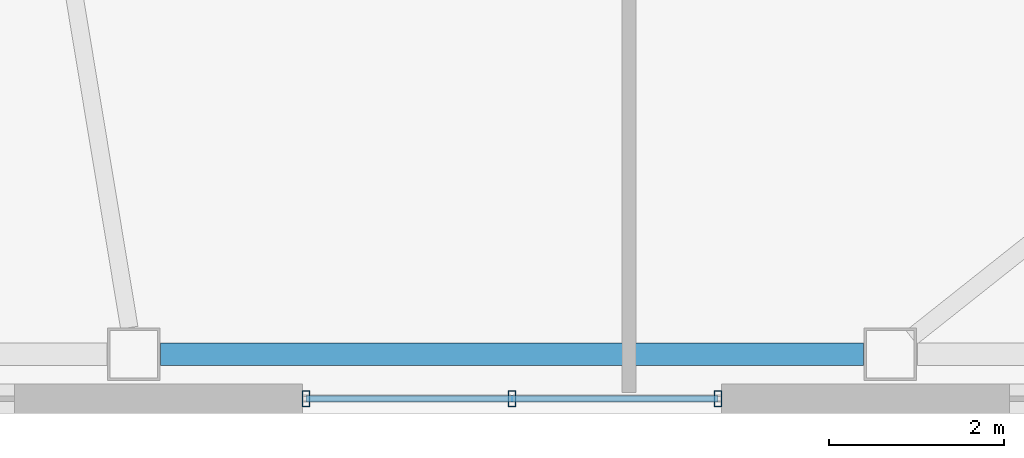
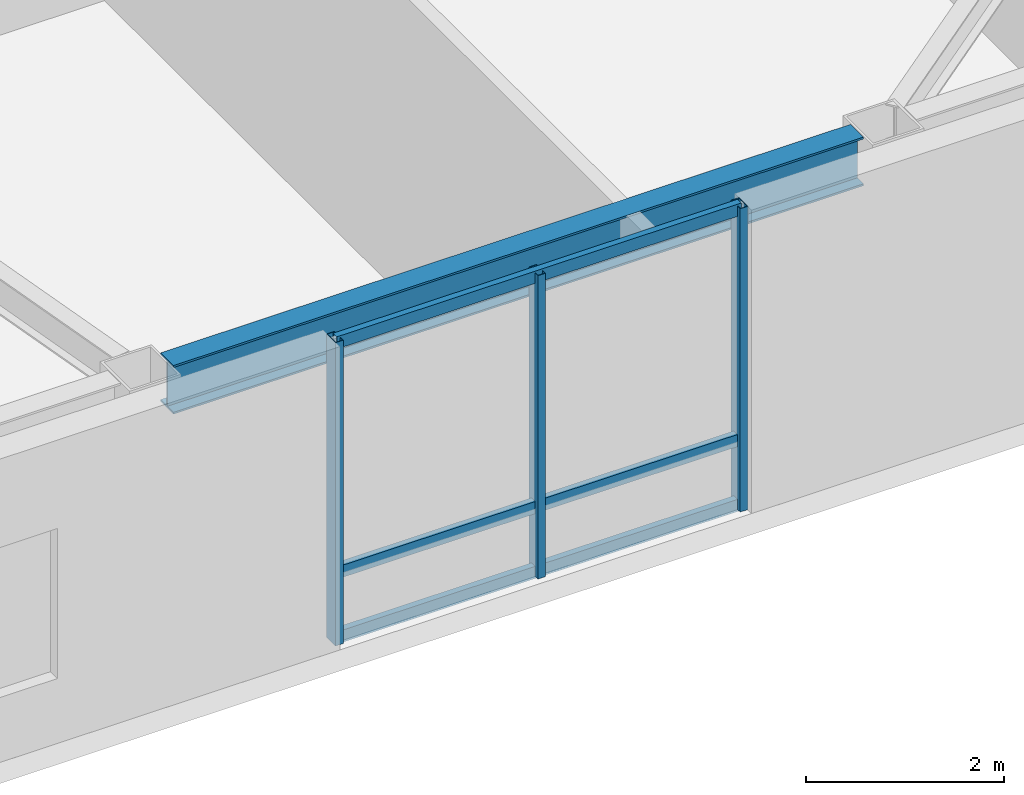
# One storey, part 4 of 18: 6 members, 1 beam, 1 element without a shape of its own.
"""IFC4 building model written with IfcOpenShell, lengths in metres."""

from ifc_helpers import new_model, si_unit, direction, frame, origin, origin_2d, place, context, subcontext, project, spatial, hollow_rectangle, i_section, extrude, material, layer, layer_set, material_profile, profile_set, type_object, element, aggregate, save


model = new_model("IFC4")

# Units and contexts
model_context = context("Model", 3, precision=1e-05, world=origin(), true_north=direction((0.0, 1.0)))
body_context = subcontext(model_context, "Body", "Model", "MODEL_VIEW")
ifc_project = project(units=[si_unit("LENGTHUNIT", "METRE"), si_unit("AREAUNIT", "SQUARE_METRE"), si_unit("VOLUMEUNIT", "CUBIC_METRE"), si_unit("PLANEANGLEUNIT", "RADIAN"), si_unit("MASSUNIT", "GRAM", prefix="KILO")], contexts=[model_context])

# Site, building, storey
site_placement = place(None, origin())
site = spatial("IfcSite", under=ifc_project, at=site_placement, CompositionType="ELEMENT")
building_placement = place(site_placement, origin())
building = spatial("IfcBuilding", under=site, at=building_placement, Name="Tavrogorsk Clinical Tower", CompositionType="ELEMENT")
storey_placement = place(building_placement, frame((0.0, 0.0, 200.199951171875)))
storey = spatial("IfcBuildingStorey", under=building, at=storey_placement, Name="L46", CompositionType="ELEMENT", Elevation=200.199951171875)

# Curtain wall, members
ifc_material_1 = material(Name="Anodised aluminium and triple IGU glazing", Category="aluminium")
ifc_layer = layer(ifc_material_1, 0.179931640625)
ifc_layer_set = layer_set([ifc_layer], Name="Anodised aluminium and triple IGU glazing")
curtain_wall_type = type_object("IfcCurtainWallType", Name="CW3_SouthSlot", PredefinedType="NOTDEFINED", material=ifc_layer_set)
curtain_wall_placement = place(storey_placement, origin())
curtain_wall = element("IfcCurtainWall", 1, at=curtain_wall_placement, inside=storey, type_object=curtain_wall_type, Name="L46 Curtain Wall CW-L46-S-SLOT-2", PredefinedType="NOTDEFINED")
ifc_material_2 = material(Name="Anodised aluminium alloy AW-6060", Category="aluminium")
ifc_material_profile_1 = material_profile(ifc_material_2, hollow_rectangle(XDim=0.090087890625, YDim=0.179931640625, WallThickness=0.00634765625, at=origin_2d()), Name="RHS-180x90x6.3")
ifc_profile_set_1 = profile_set([ifc_material_profile_1], Name="Anodised aluminium alloy AW-6060")
member_type_1 = type_object("IfcMemberType", Name="CwMullion_180x90", PredefinedType="MULLION", material=ifc_profile_set_1)
member_1_placement = place(storey_placement, frame((8.703857421875, -20.929931640625, 0.0), z_axis=(0.0, 0.0, 1.0), x_axis=(1.0, 0.0, 0.0)))
member_1 = element("IfcMember", 2, at=member_1_placement, type_object=member_type_1, Name="CW-L46-S-SLOT-2 Mullion 1", PredefinedType="MULLION", context=body_context, shape_type="SweptSolid", body=[
    extrude(hollow_rectangle(XDim=0.090087890625, YDim=0.179931640625, WallThickness=0.00634765625, at=origin_2d()), origin(), (0.0, 0.0, 1.0), 3.739990234375),
])
member_2_placement = place(storey_placement, frame((11.062744140625, -20.929931640625, 0.0), z_axis=(0.0, 0.0, 1.0), x_axis=(1.0, 0.0, 0.0)))
member_2 = element("IfcMember", 3, at=member_2_placement, type_object=member_type_1, Name="CW-L46-S-SLOT-2 Mullion 2", PredefinedType="MULLION", context=body_context, shape_type="SweptSolid", body=[
    extrude(hollow_rectangle(XDim=0.090087890625, YDim=0.179931640625, WallThickness=0.00634765625, at=origin_2d()), origin(), (0.0, 0.0, 1.0), 3.739990234375),
])
member_3_placement = place(storey_placement, frame((13.421875, -20.929931640625, 0.0), z_axis=(0.0, 0.0, 1.0), x_axis=(1.0, 0.0, 0.0)))
member_3 = element("IfcMember", 4, at=member_3_placement, type_object=member_type_1, Name="CW-L46-S-SLOT-2 Mullion 3", PredefinedType="MULLION", context=body_context, shape_type="SweptSolid", body=[
    extrude(hollow_rectangle(XDim=0.090087890625, YDim=0.179931640625, WallThickness=0.00634765625, at=origin_2d()), origin(), (0.0, 0.0, 1.0), 3.739990234375),
])
ifc_material_3 = material(Name="Anodised aluminium alloy AW-6060", Category="aluminium")
ifc_material_profile_2 = material_profile(ifc_material_3, hollow_rectangle(XDim=0.074951171875, YDim=0.14990234375, WallThickness=0.0048828125, at=origin_2d()), Name="RHS-150x75x5")
ifc_profile_set_2 = profile_set([ifc_material_profile_2], Name="Anodised aluminium alloy AW-6060")
member_type_2 = type_object("IfcMemberType", Name="CwTransom_150x75", PredefinedType="USERDEFINED", material=ifc_profile_set_2)
member_4_placement = place(storey_placement, frame((8.703857421875, -20.929931640625, 0.050048828125), z_axis=(1.0, 0.0, 0.0), x_axis=(0.0, 1.0, 0.0)))
member_4 = element("IfcMember", 5, at=member_4_placement, type_object=member_type_2, Name="CW-L46-S-SLOT-2 Transom 1", ObjectType="TRANSOM", PredefinedType="USERDEFINED", context=body_context, shape_type="SweptSolid", body=[
    extrude(hollow_rectangle(XDim=0.074951171875, YDim=0.14990234375, WallThickness=0.0048828125, at=origin_2d()), origin(), (0.0, 0.0, 1.0), 4.718017578125),
])
member_5_placement = place(storey_placement, frame((8.703857421875, -20.929931640625, 0.85009765625), z_axis=(1.0, 0.0, 0.0), x_axis=(0.0, 1.0, 0.0)))
member_5 = element("IfcMember", 6, at=member_5_placement, type_object=member_type_2, Name="CW-L46-S-SLOT-2 Transom 2", ObjectType="TRANSOM", PredefinedType="USERDEFINED", context=body_context, shape_type="SweptSolid", body=[
    extrude(hollow_rectangle(XDim=0.074951171875, YDim=0.14990234375, WallThickness=0.0048828125, at=origin_2d()), origin(), (0.0, 0.0, 1.0), 4.718017578125),
])
member_6_placement = place(storey_placement, frame((8.703857421875, -20.929931640625, 3.68994140625), z_axis=(1.0, 0.0, 0.0), x_axis=(0.0, 1.0, 0.0)))
member_6 = element("IfcMember", 7, at=member_6_placement, type_object=member_type_2, Name="CW-L46-S-SLOT-2 Transom 3", ObjectType="TRANSOM", PredefinedType="USERDEFINED", context=body_context, shape_type="SweptSolid", body=[
    extrude(hollow_rectangle(XDim=0.074951171875, YDim=0.14990234375, WallThickness=0.0048828125, at=origin_2d()), origin(), (0.0, 0.0, 1.0), 4.718017578125),
])
aggregate(curtain_wall, [member_1, member_2, member_3, member_4, member_5, member_6])

# Beam
ifc_material_4 = material(Name="Structural steel S390", Category="steel")
ifc_material_profile_3 = material_profile(ifc_material_4, i_section(OverallWidth=0.260009765625, OverallDepth=0.60009765625, WebThickness=0.014892578125, FlangeThickness=0.02392578125, at=origin_2d()), Name="B-600x260x15x24")
ifc_profile_set_3 = profile_set([ifc_material_profile_3], Name="Structural steel S390")
beam_type = type_object("IfcBeamType", Name="SpandrelBeam_B600", PredefinedType="SPANDREL", material=ifc_profile_set_3)
beam_placement = place(storey_placement, frame((7.039306640625, -20.419921875, 3.43994140625), z_axis=(1.0, 0.0, 0.0), x_axis=(0.0, 1.0, 0.0)))
element("IfcBeam", 8, at=beam_placement, inside=storey, type_object=beam_type, Name="L46 Perimeter Spandrel S5-S6", PredefinedType="SPANDREL", context=body_context, shape_type="SweptSolid", body=[
    extrude(i_section(OverallWidth=0.260009765625, OverallDepth=0.60009765625, WebThickness=0.014892578125, FlangeThickness=0.02392578125, at=origin_2d()), origin(), (0.0, 0.0, 1.0), 8.046875),
])

save(model, "model.ifc")
